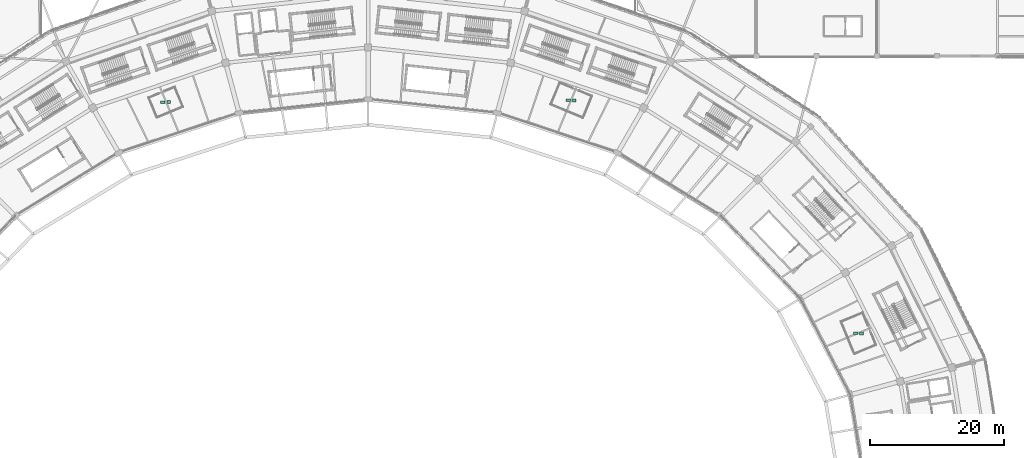
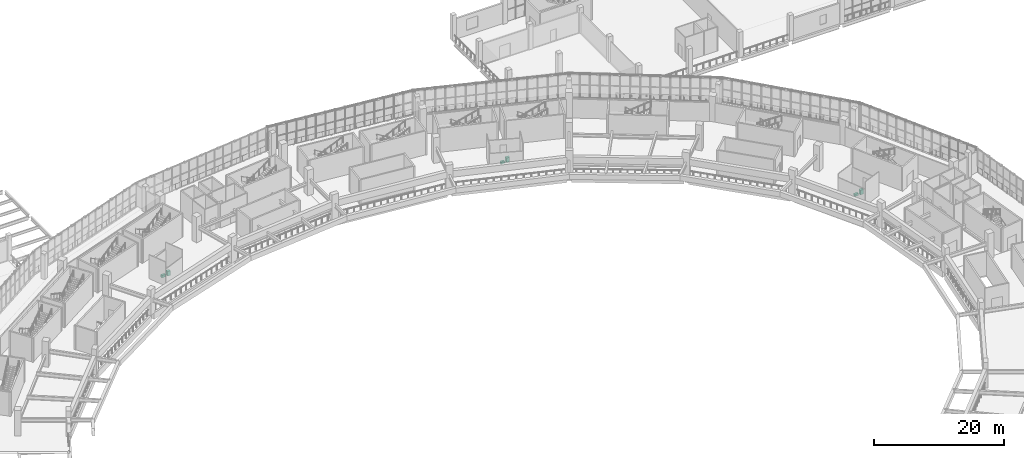
# One storey, part 179 of 179: 6 sanitary terminals.
"""IFC4 building model written with IfcOpenShell, lengths in metres."""

from ifc_helpers import new_model, si_unit, direction, frame, origin, origin_2d, place, context, subcontext, project, spatial, rectangle, extrude, material, type_object, element, save


model = new_model("IFC4")

# Units and contexts
model_context = context("Model", 3, precision=1e-05, world=origin(), true_north=direction((0.0, 1.0)))
body_context = subcontext(model_context, "Body", "Model", "MODEL_VIEW")
ifc_project = project(units=[si_unit("LENGTHUNIT", "METRE"), si_unit("AREAUNIT", "SQUARE_METRE"), si_unit("VOLUMEUNIT", "CUBIC_METRE"), si_unit("PLANEANGLEUNIT", "RADIAN"), si_unit("MASSUNIT", "GRAM", prefix="KILO")], contexts=[model_context])

# Site, building, storey
site_placement = place(None, origin())
site = spatial("IfcSite", under=ifc_project, at=site_placement, CompositionType="ELEMENT")
building_placement = place(site_placement, origin())
building = spatial("IfcBuilding", under=site, at=building_placement, Name="Zevraka Park Crest Stadium", CompositionType="ELEMENT")
storey_placement = place(building_placement, frame((0.0, 0.0, 10.199951171875)))
storey = spatial("IfcBuildingStorey", under=building, at=storey_placement, Name="L02", CompositionType="ELEMENT", Elevation=10.199951171875)

# Sanitary terminals
ifc_material_1 = material(Name="Vitreous china sanitaryware", Category="other")
sanitary_terminal_type_1 = type_object("IfcSanitaryTerminalType", Name="SAN02", PredefinedType="WASHHANDBASIN", material=ifc_material_1)
for number, where, z_axis, x_axis, name in (
    (1, (185.712890625, 116.60693359375, 0.0), (0.0, 0.0, 1.0), (1.0, 0.0, 0.0), "Washhand Basin L02-001"),
    (2, (142.797119140625, 151.406005859375, 0.0), (0.0, 0.0, 1.0), (1.0, 0.0, 0.0), "Washhand Basin L02-002"),
    (3, (82.218017578125, 151.1279296875, 0.0), (0.0, 0.0, 1.0), (1.0, 0.0, 0.0), "Washhand Basin L02-003"),
):
    element("IfcSanitaryTerminal", number, at=place(storey_placement, frame(where, z_axis=z_axis, x_axis=x_axis)), inside=storey, type_object=sanitary_terminal_type_1, Name=name, PredefinedType="WASHHANDBASIN", context=body_context, shape_type="SweptSolid", body=[
        extrude(rectangle(XDim=0.550048828125, YDim=0.449951171875, at=origin_2d()), origin(), (0.0, 0.0, 1.0), 0.85009765625),
    ])
ifc_material_2 = material(Name="Vitreous china sanitaryware", Category="other")
sanitary_terminal_type_2 = type_object("IfcSanitaryTerminalType", Name="WC01", PredefinedType="TOILETPAN", material=ifc_material_2)
for number, where, z_axis, x_axis, name in (
    (4, (184.81396484375, 116.60693359375, 0.0), (0.0, 0.0, 1.0), (1.0, 0.0, 0.0), "WC Pan L02-001"),
    (5, (141.89697265625, 151.406005859375, 0.0), (0.0, 0.0, 1.0), (1.0, 0.0, 0.0), "WC Pan L02-002"),
    (6, (81.318115234375, 151.1279296875, 0.0), (0.0, 0.0, 1.0), (1.0, 0.0, 0.0), "WC Pan L02-003"),
):
    element("IfcSanitaryTerminal", number, at=place(storey_placement, frame(where, z_axis=z_axis, x_axis=x_axis)), inside=storey, type_object=sanitary_terminal_type_2, Name=name, PredefinedType="TOILETPAN", context=body_context, shape_type="SweptSolid", body=[
        extrude(rectangle(XDim=0.679931640625, YDim=0.3798828125, at=origin_2d()), origin(), (0.0, 0.0, 1.0), 0.419921875),
    ])

save(model, "model.ifc")
